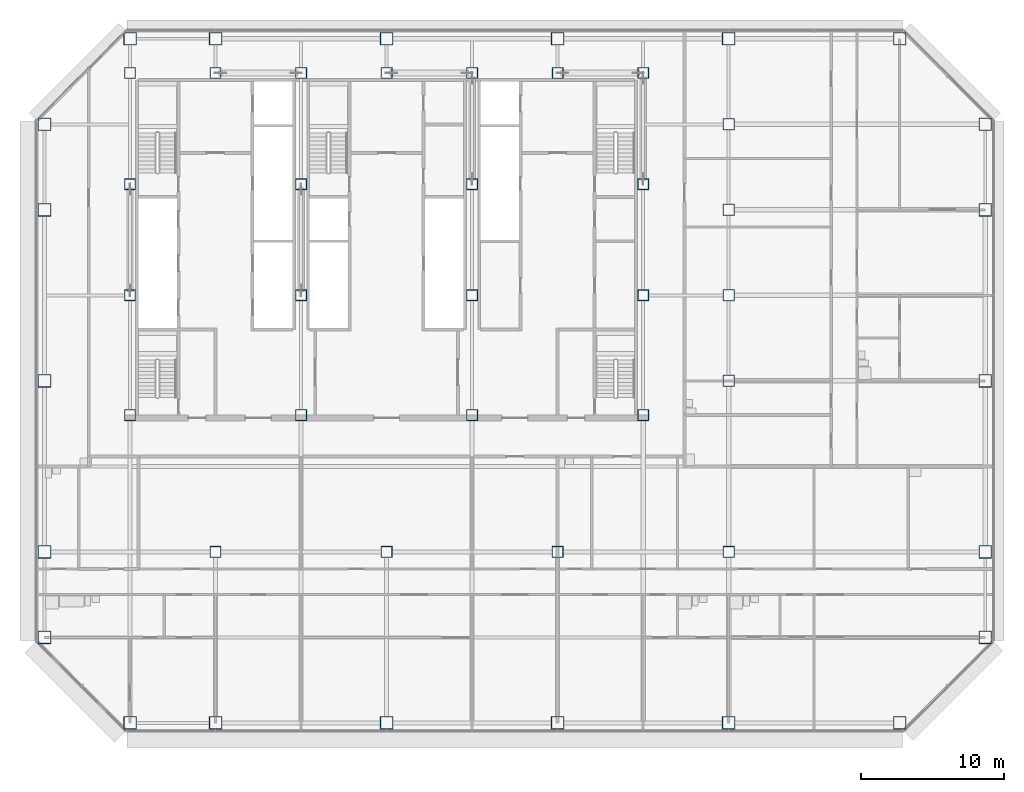
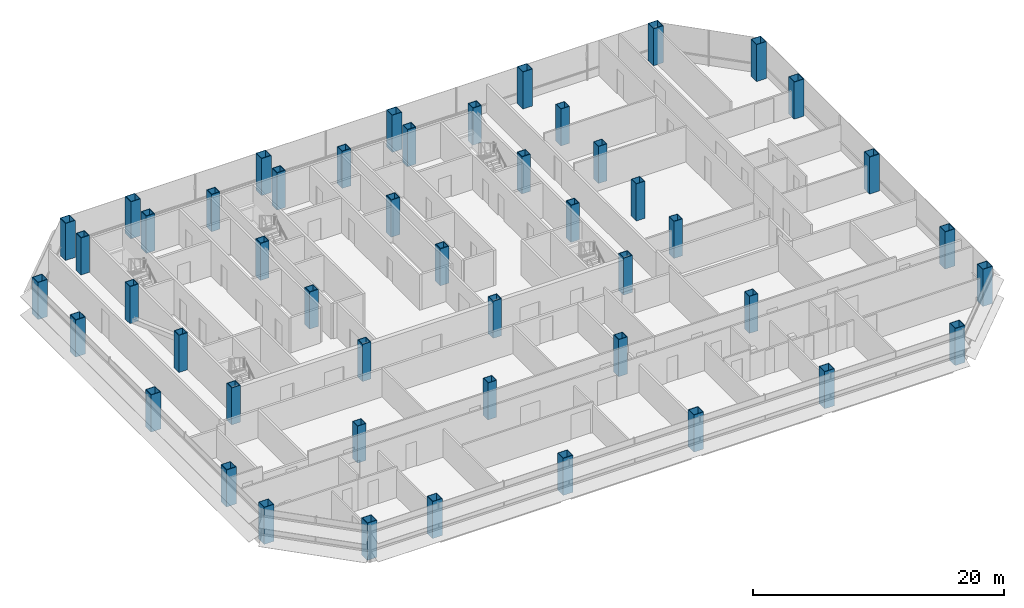
# One storey, part 1 of 27: 49 columns.
"""IFC4 building model written with IfcOpenShell, lengths in metres."""

from ifc_helpers import new_model, si_unit, direction, frame, origin, origin_2d, place, context, subcontext, project, spatial, hollow_rectangle, extrude, material, material_profile, profile_set, type_object, element, save


model = new_model("IFC4")

# Units and contexts
model_context = context("Model", 3, precision=1e-05, world=origin(), true_north=direction((0.0, 1.0)))
body_context = subcontext(model_context, "Body", "Model", "MODEL_VIEW")
ifc_project = project(units=[si_unit("LENGTHUNIT", "METRE"), si_unit("AREAUNIT", "SQUARE_METRE"), si_unit("VOLUMEUNIT", "CUBIC_METRE"), si_unit("PLANEANGLEUNIT", "RADIAN"), si_unit("MASSUNIT", "GRAM", prefix="KILO")], contexts=[model_context])

# Site, building, storey
site_placement = place(None, origin())
site = spatial("IfcSite", under=ifc_project, at=site_placement, CompositionType="ELEMENT")
building_placement = place(site_placement, origin())
building = spatial("IfcBuilding", under=site, at=building_placement, Name="Sorahane Residences", CompositionType="ELEMENT")
storey_placement = place(building_placement, frame((0.0, 0.0, 53.39990234375)))
storey = spatial("IfcBuildingStorey", under=building, at=storey_placement, Name="L09", CompositionType="ELEMENT", Elevation=53.39990234375)

# Columns
ifc_material_1 = material(Name="Steel Q355B", Category="steel")
ifc_material_profile_1 = material_profile(ifc_material_1, hollow_rectangle(XDim=0.800048828125, YDim=0.800048828125, WallThickness=0.0400390625, at=origin_2d()), Name="BOX 800x800x40")
ifc_profile_set_1 = profile_set([ifc_material_profile_1], Name="Steel Q355B")
column_type_1 = type_object("IfcColumnType", Name="Steel box column BOX 800x800x40 Q355B", PredefinedType="COLUMN", material=ifc_profile_set_1)
for number, where, z_axis, x_axis, name in (
    (1, (12.0, 12.0, 0.0), (0.0, 0.0, 1.0), (1.0, 0.0, 0.0), "Column L09 12/12"),
    (2, (24.0, 12.0, 0.0), (0.0, 0.0, 1.0), (1.0, 0.0, 0.0), "Column L09 24/12"),
    (3, (36.0, 12.0, 0.0), (0.0, 0.0, 1.0), (1.0, 0.0, 0.0), "Column L09 36/12"),
    (4, (48.0, 12.0, 0.0), (0.0, 0.0, 1.0), (1.0, 0.0, 0.0), "Column L09 48/12"),
    (5, (48.0, 24.0, 0.0), (0.0, 0.0, 1.0), (1.0, 0.0, 0.0), "Column L09 48/24"),
    (6, (48.0, 30.0, 0.0), (0.0, 0.0, 1.0), (1.0, 0.0, 0.0), "Column L09 48/30"),
    (7, (48.0, 36.0, 0.0), (0.0, 0.0, 1.0), (1.0, 0.0, 0.0), "Column L09 48/36"),
    (8, (48.0, 42.0, 0.0), (0.0, 0.0, 1.0), (1.0, 0.0, 0.0), "Column L09 48/42"),
):
    element("IfcColumn", number, at=place(storey_placement, frame(where, z_axis=z_axis, x_axis=x_axis)), inside=storey, type_object=column_type_1, Name=name, PredefinedType="COLUMN", context=body_context, shape_type="SweptSolid", body=[
        extrude(hollow_rectangle(XDim=0.800048828125, YDim=0.800048828125, WallThickness=0.0400390625, at=origin_2d()), origin(), (0.0, 0.0, 1.0), 3.60009765625),
    ])
ifc_material_2 = material(Name="Steel Q420GJ", Category="steel")
ifc_material_profile_2 = material_profile(ifc_material_2, hollow_rectangle(XDim=0.800048828125, YDim=0.800048828125, WallThickness=0.06005859375, at=origin_2d()), Name="BOX 800x800x60")
ifc_profile_set_2 = profile_set([ifc_material_profile_2], Name="Steel Q420GJ")
column_type_2 = type_object("IfcColumnType", Name="Steel box column BOX 800x800x60 Q420GJ", PredefinedType="COLUMN", material=ifc_profile_set_2)
for number, where, z_axis, x_axis, name in (
    (9, (6.0, 21.60009765625, 0.0), (0.0, 0.0, 1.0), (1.0, 0.0, 0.0), "Column L09 6/21.6"),
    (10, (6.0, 30.0, 0.0), (0.0, 0.0, 1.0), (1.0, 0.0, 0.0), "Column L09 6/30"),
    (11, (6.0, 37.800048828125, 0.0), (0.0, 0.0, 1.0), (1.0, 0.0, 0.0), "Column L09 6/37.8"),
    (12, (6.0, 45.60009765625, 0.0), (0.0, 0.0, 1.0), (1.0, 0.0, 0.0), "Column L09 6/45.6"),
    (13, (12.0, 45.60009765625, 0.0), (0.0, 0.0, 1.0), (1.0, 0.0, 0.0), "Column L09 12/45.6"),
    (14, (18.0, 21.60009765625, 0.0), (0.0, 0.0, 1.0), (1.0, 0.0, 0.0), "Column L09 18/21.6"),
    (15, (18.0, 30.0, 0.0), (0.0, 0.0, 1.0), (1.0, 0.0, 0.0), "Column L09 18/30"),
    (16, (18.0, 37.800048828125, 0.0), (0.0, 0.0, 1.0), (1.0, 0.0, 0.0), "Column L09 18/37.8"),
    (17, (18.0, 45.60009765625, 0.0), (0.0, 0.0, 1.0), (1.0, 0.0, 0.0), "Column L09 18/45.6"),
    (18, (24.0, 45.60009765625, 0.0), (0.0, 0.0, 1.0), (1.0, 0.0, 0.0), "Column L09 24/45.6"),
    (19, (30.0, 21.60009765625, 0.0), (0.0, 0.0, 1.0), (1.0, 0.0, 0.0), "Column L09 30/21.6"),
    (20, (30.0, 30.0, 0.0), (0.0, 0.0, 1.0), (1.0, 0.0, 0.0), "Column L09 30/30"),
    (21, (30.0, 37.800048828125, 0.0), (0.0, 0.0, 1.0), (1.0, 0.0, 0.0), "Column L09 30/37.8"),
    (22, (30.0, 45.60009765625, 0.0), (0.0, 0.0, 1.0), (1.0, 0.0, 0.0), "Column L09 30/45.6"),
    (23, (36.0, 45.60009765625, 0.0), (0.0, 0.0, 1.0), (1.0, 0.0, 0.0), "Column L09 36/45.6"),
    (24, (42.0, 21.60009765625, 0.0), (0.0, 0.0, 1.0), (1.0, 0.0, 0.0), "Column L09 42/21.6"),
    (25, (42.0, 30.0, 0.0), (0.0, 0.0, 1.0), (1.0, 0.0, 0.0), "Column L09 42/30"),
    (26, (42.0, 37.800048828125, 0.0), (0.0, 0.0, 1.0), (1.0, 0.0, 0.0), "Column L09 42/37.8"),
    (27, (42.0, 45.60009765625, 0.0), (0.0, 0.0, 1.0), (1.0, 0.0, 0.0), "Column L09 42/45.6"),
):
    element("IfcColumn", number, at=place(storey_placement, frame(where, z_axis=z_axis, x_axis=x_axis)), inside=storey, type_object=column_type_2, Name=name, PredefinedType="COLUMN", context=body_context, shape_type="SweptSolid", body=[
        extrude(hollow_rectangle(XDim=0.800048828125, YDim=0.800048828125, WallThickness=0.06005859375, at=origin_2d()), origin(), (0.0, 0.0, 1.0), 3.60009765625),
    ])
ifc_material_3 = material(Name="Steel Q420GJ", Category="steel")
ifc_material_profile_3 = material_profile(ifc_material_3, hollow_rectangle(XDim=0.89990234375, YDim=0.89990234375, WallThickness=0.044921875, at=origin_2d()), Name="BOX 900x900x45")
ifc_profile_set_3 = profile_set([ifc_material_profile_3], Name="Steel Q420GJ")
column_type_3 = type_object("IfcColumnType", Name="Steel box column BOX 900x900x45 Q420GJ", PredefinedType="COLUMN", material=ifc_profile_set_3)
for number, where, z_axis, x_axis, name in (
    (28, (0.0, 6.0, 0.0), (0.0, 0.0, 1.0), (1.0, 0.0, 0.0), "Column L09 m0/6"),
    (29, (0.0, 12.0, 0.0), (0.0, 0.0, 1.0), (1.0, 0.0, 0.0), "Column L09 m0/12"),
    (30, (0.0, 24.0, 0.0), (0.0, 0.0, 1.0), (1.0, 0.0, 0.0), "Column L09 m0/24"),
    (31, (0.0, 36.0, 0.0), (0.0, 0.0, 1.0), (1.0, 0.0, 0.0), "Column L09 m0/36"),
    (32, (0.0, 42.0, 0.0), (0.0, 0.0, 1.0), (1.0, 0.0, 0.0), "Column L09 m0/42"),
    (33, (6.0, 0.0, 0.0), (0.0, 0.0, 1.0), (1.0, 0.0, 0.0), "Column L09 6/0"),
    (34, (6.0, 48.0, 0.0), (0.0, 0.0, 1.0), (1.0, 0.0, 0.0), "Column L09 6/48"),
    (35, (12.0, 0.0, 0.0), (0.0, 0.0, 1.0), (1.0, 0.0, 0.0), "Column L09 12/0"),
    (36, (12.0, 48.0, 0.0), (0.0, 0.0, 1.0), (1.0, 0.0, 0.0), "Column L09 12/48"),
    (37, (24.0, 0.0, 0.0), (0.0, 0.0, 1.0), (1.0, 0.0, 0.0), "Column L09 24/0"),
    (38, (24.0, 48.0, 0.0), (0.0, 0.0, 1.0), (1.0, 0.0, 0.0), "Column L09 24/48"),
    (39, (36.0, 0.0, 0.0), (0.0, 0.0, 1.0), (1.0, 0.0, 0.0), "Column L09 36/0"),
    (40, (36.0, 48.0, 0.0), (0.0, 0.0, 1.0), (1.0, 0.0, 0.0), "Column L09 36/48"),
    (41, (48.0, 0.0, 0.0), (0.0, 0.0, 1.0), (1.0, 0.0, 0.0), "Column L09 48/0"),
    (42, (48.0, 48.0, 0.0), (0.0, 0.0, 1.0), (1.0, 0.0, 0.0), "Column L09 48/48"),
    (43, (60.0, 0.0, 0.0), (0.0, 0.0, 1.0), (1.0, 0.0, 0.0), "Column L09 60/0"),
    (44, (60.0, 48.0, 0.0), (0.0, 0.0, 1.0), (1.0, 0.0, 0.0), "Column L09 60/48"),
    (45, (66.0, 6.0, 0.0), (0.0, 0.0, 1.0), (1.0, 0.0, 0.0), "Column L09 66/6"),
    (46, (66.0, 12.0, 0.0), (0.0, 0.0, 1.0), (1.0, 0.0, 0.0), "Column L09 66/12"),
    (47, (66.0, 24.0, 0.0), (0.0, 0.0, 1.0), (1.0, 0.0, 0.0), "Column L09 66/24"),
    (48, (66.0, 36.0, 0.0), (0.0, 0.0, 1.0), (1.0, 0.0, 0.0), "Column L09 66/36"),
    (49, (66.0, 42.0, 0.0), (0.0, 0.0, 1.0), (1.0, 0.0, 0.0), "Column L09 66/42"),
):
    element("IfcColumn", number, at=place(storey_placement, frame(where, z_axis=z_axis, x_axis=x_axis)), inside=storey, type_object=column_type_3, Name=name, PredefinedType="COLUMN", context=body_context, shape_type="SweptSolid", body=[
        extrude(hollow_rectangle(XDim=0.89990234375, YDim=0.89990234375, WallThickness=0.044921875, at=origin_2d()), origin(), (0.0, 0.0, 1.0), 3.60009765625),
    ])

save(model, "model.ifc")
